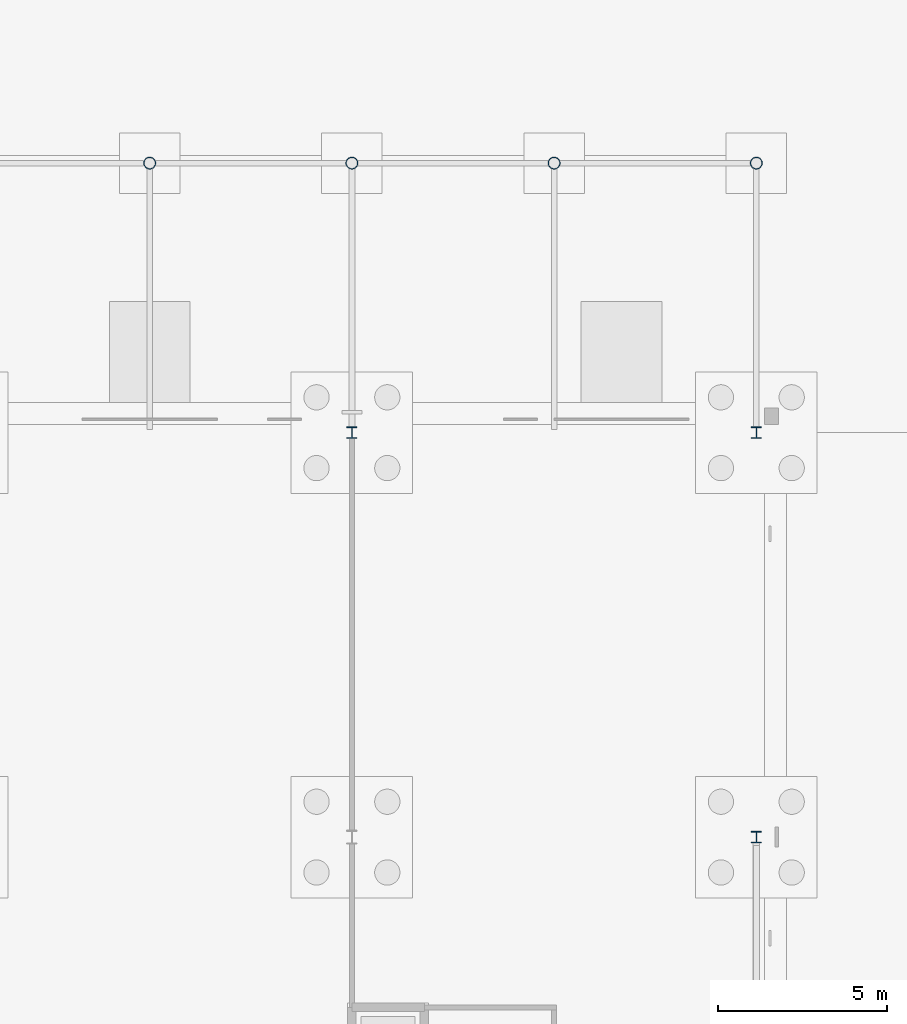
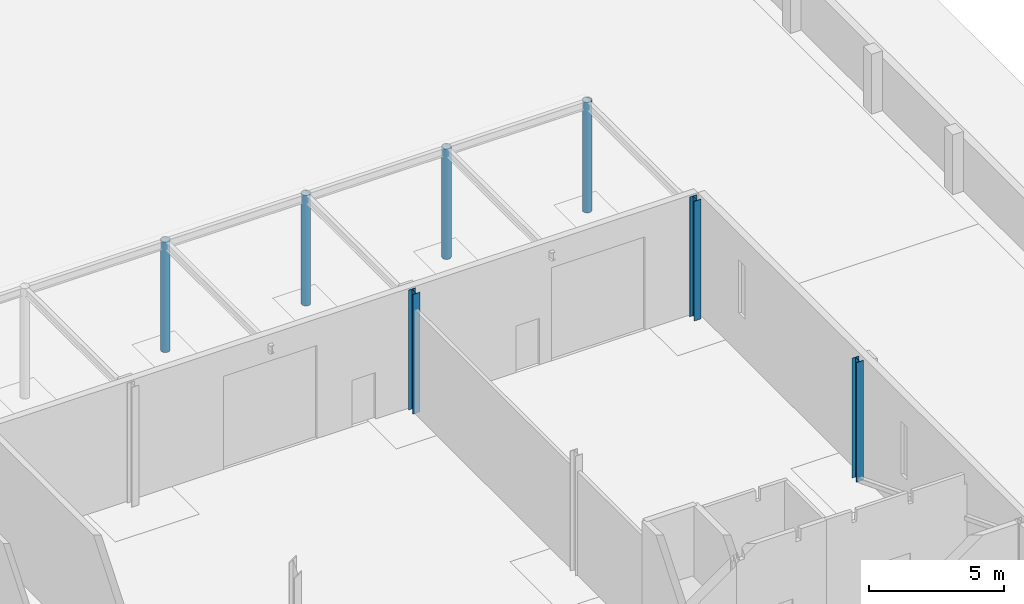
# One storey, part 50 of 132: 7 columns.
"""IFC4 building model written with IfcOpenShell, lengths in metres."""

import ifcopenshell
import ifcopenshell.guid

model = None  # the IFC model being written
_history = None  # IfcOwnerHistory: only IFC2X3 demands one
_inside = {}  # id of a spatial element -> (the spatial element, [elements in it])
_under = {}  # id of a project, library or spatial element -> (it, [spatial elements below it])
_declared = {}  # id of a project -> (the project, [libraries it declares])
_typed = {}  # id of a type object -> (the type object, [elements of that type])
_made_of = {}  # id of a material, layer set ... -> (it, [elements and type objects made of it])


def new_model(schema):
    """Start an empty IFC model of exactly this schema.

    Asked for "IFC4X3", IfcOpenShell would pick the latest addendum, in which some entities
    have other attributes; the version numbers below select the first issue.
    IFC2X3 requires an IfcOwnerHistory on every rooted entity: one is made here for all.
    """
    global model, _history
    if schema == "IFC4X3":
        model = ifcopenshell.file(schema_version=(4, 3, 0, 0))
    else:
        model = ifcopenshell.file(schema=schema)
    _inside.clear()
    _under.clear()
    _declared.clear()
    _typed.clear()
    _made_of.clear()
    _history = None
    if model.schema == "IFC2X3":
        org = make("IfcOrganization", Name="unknown")
        user = make(
            "IfcPersonAndOrganization",
            ThePerson=make("IfcPerson", FamilyName="unknown"),
            TheOrganization=org,
        )
        app = make(
            "IfcApplication",
            ApplicationDeveloper=org,
            Version="unknown",
            ApplicationFullName="unknown",
            ApplicationIdentifier="unknown",
        )
        _history = make(
            "IfcOwnerHistory",
            OwningUser=user,
            OwningApplication=app,
            ChangeAction="ADDED",
            CreationDate=0,
        )
    return model


def make(cls, **values):
    """One entity of the class cls with the attributes given. An attribute that is None is left unset."""
    return model.create_entity(
        cls, **{name: value for name, value in values.items() if value is not None}
    )


def rooted(cls, **values):
    """An entity with a GlobalId (a new one), such as an element, a storey or a relation."""
    return make(cls, GlobalId=ifcopenshell.guid.new(), OwnerHistory=_history, **values)


def si_unit(unit_type, name, prefix=None):
    """IfcSIUnit, for example si_unit("LENGTHUNIT", "METRE", prefix="MILLI")."""
    return make("IfcSIUnit", UnitType=unit_type, Prefix=prefix, Name=name)


def assignment(units):
    """IfcUnitAssignment: the units of a project."""
    return None if units is None else make("IfcUnitAssignment", Units=units)


def point(xyz):
    """IfcCartesianPoint."""
    return None if xyz is None else make("IfcCartesianPoint", Coordinates=xyz)


def direction(xyz):
    """IfcDirection."""
    return None if xyz is None else make("IfcDirection", DirectionRatios=xyz)


def frame(location, z_axis=None, x_axis=None):
    """IfcAxis2Placement3D, a coordinate frame: its origin and axes. An axis left out is left unset."""
    return make(
        "IfcAxis2Placement3D",
        Location=point(location),
        Axis=direction(z_axis),
        RefDirection=direction(x_axis),
    )


def frame_2d(location, x_axis=None):
    """IfcAxis2Placement2D, a coordinate frame in the plane: its origin and x axis."""
    return make(
        "IfcAxis2Placement2D", Location=point(location), RefDirection=direction(x_axis)
    )


def origin():
    """The frame at (0, 0, 0) with its axes left unset."""
    return frame((0.0, 0.0, 0.0))


def origin_2d():
    """The frame at (0, 0) in the plane with its x axis left unset."""
    return frame_2d((0.0, 0.0))


def place(relative_to, where):
    """IfcLocalPlacement: puts the frame where relative to a parent placement (None: the world)."""
    return make(
        "IfcLocalPlacement", PlacementRelTo=relative_to, RelativePlacement=where
    )


def context(
    kind, dimensions, precision=None, world=None, true_north=None, identifier=None
):
    """IfcGeometricRepresentationContext, for example the 3D "Model" context."""
    return make(
        "IfcGeometricRepresentationContext",
        ContextIdentifier=identifier,
        ContextType=kind,
        CoordinateSpaceDimension=dimensions,
        Precision=precision,
        WorldCoordinateSystem=world,
        TrueNorth=true_north,
    )


def subcontext(parent, identifier, kind, view, scale=None):
    """IfcGeometricRepresentationSubContext, for example "Body" below "Model"."""
    return make(
        "IfcGeometricRepresentationSubContext",
        ContextIdentifier=identifier,
        ContextType=kind,
        ParentContext=parent,
        TargetScale=scale,
        TargetView=view,
    )


def project(units=None, contexts=None):
    """IfcProject with its units and contexts."""
    return rooted(
        "IfcProject",
        Name="project",
        RepresentationContexts=contexts,
        UnitsInContext=assignment(units),
    )


def spatial(cls, under=None, at=None, **own):
    """A site, building, storey or space (cls), placed at a placement, below another one or the project."""
    s = rooted(cls, ObjectPlacement=at, **own)
    if under is not None:
        _under.setdefault(under.id(), (under, []))[1].append(s)
    return s


def profile(cls, at=None, kind="AREA", **sizes):
    """A parametric profile (cls). Its sizes go by their IFC names, for example OverallWidth=200.0."""
    return make(cls, ProfileType=kind, Position=at, **sizes)


def hollow_circle(**sizes):
    """IfcCircleHollowProfileDef."""
    return profile("IfcCircleHollowProfileDef", **sizes)


def i_section(**sizes):
    """IfcIShapeProfileDef."""
    return profile("IfcIShapeProfileDef", **sizes)


def extrude(swept, where, along, depth):
    """IfcExtrudedAreaSolid: the profile swept, set in the frame where, extruded along a direction by depth."""
    return make(
        "IfcExtrudedAreaSolid",
        SweptArea=swept,
        Position=where,
        ExtrudedDirection=direction(along),
        Depth=depth,
    )


def shape(context_of_items, identifier, shape_type, items):
    """IfcShapeRepresentation: the items that make up one representation, for example the "Body"."""
    return make(
        "IfcShapeRepresentation",
        ContextOfItems=context_of_items,
        RepresentationIdentifier=identifier,
        RepresentationType=shape_type,
        Items=items,
    )


def material(Name=None, Category=None):
    """IfcMaterial."""
    return make("IfcMaterial", Name=Name, Category=Category)


def material_profile(
    of_material, cross_section, Name=None, Category=None, Priority=None
):
    """IfcMaterialProfile: a cross section and its material."""
    return make(
        "IfcMaterialProfile",
        Name=Name,
        Material=of_material,
        Profile=cross_section,
        Priority=Priority,
        Category=Category,
    )


def profile_set(profiles, Name=None, composite=None):
    """IfcMaterialProfileSet."""
    return make(
        "IfcMaterialProfileSet",
        Name=Name,
        MaterialProfiles=profiles,
        CompositeProfile=composite,
    )


def made_of(thing, what):
    """Note that an element or type object is made of a material, layer set ...; save() writes the relation."""
    if what is not None:
        _made_of.setdefault(what.id(), (what, []))[1].append(thing)
    return thing


def type_object(cls, material=None, **own):
    """A type object (cls), such as IfcWallType, which elements share."""
    return made_of(rooted(cls, **own), material)


def element(
    cls,
    number,
    at=None,
    inside=None,
    cuts=None,
    type_object=None,
    material=None,
    context=None,
    identifier="Body",
    shape_type=None,
    held_by="IfcProductDefinitionShape",
    body=None,
    shapes=None,
    **own,
):
    """One element of the class cls, such as IfcWall. Its Tag is "e" and its number.

    at: its placement. inside: the storey or other place that contains it. cuts: it is an
    opening in that element (IfcRelVoidsElement). A single representation is given by context,
    identifier, shape_type and body (its items); several are given by shapes. held_by: the class
    of the entity that holds the representations. save() writes the other relations.
    """
    e = rooted(cls, Tag="e%d" % number, ObjectPlacement=at, **own)
    if body is not None:
        shapes = [shape(context, identifier, shape_type, body)]
    if shapes is not None:
        e.Representation = make(held_by, Representations=shapes)
    if inside is not None:
        _inside.setdefault(inside.id(), (inside, []))[1].append(e)
    if cuts is not None:
        rooted(
            "IfcRelVoidsElement", RelatingBuildingElement=cuts, RelatedOpeningElement=e
        )
    if type_object is not None:
        _typed.setdefault(type_object.id(), (type_object, []))[1].append(e)
    return made_of(e, material)


def aggregate(whole, parts):
    """IfcRelAggregates: a whole, such as a stair, and the parts it consists of."""
    return rooted("IfcRelAggregates", RelatingObject=whole, RelatedObjects=parts)


def save(model, path):
    """Write the relations noted so far, then the file.

    IfcRelAggregates (storeys below a building ...), IfcRelContainedInSpatialStructure (elements
    in a storey), IfcRelDefinesByType, IfcRelAssociatesMaterial and IfcRelDeclares: one each for
    every whole, place, type object, material and project.
    """
    for whole, parts in _under.values():
        aggregate(whole, parts)
    for where, things in _inside.values():
        rooted(
            "IfcRelContainedInSpatialStructure",
            RelatedElements=things,
            RelatingStructure=where,
        )
    for kind, things in _typed.values():
        rooted("IfcRelDefinesByType", RelatedObjects=things, RelatingType=kind)
    for what, things in _made_of.values():
        rooted("IfcRelAssociatesMaterial", RelatedObjects=things, RelatingMaterial=what)
    for by, libraries in _declared.values():
        rooted("IfcRelDeclares", RelatingContext=by, RelatedDefinitions=libraries)
    model.write(path)


model = new_model("IFC4")

# Units and contexts
model_context = context("Model", 3, precision=1e-05, world=origin(), true_north=direction((0.0, 1.0)))
body_context = subcontext(model_context, "Body", "Model", "MODEL_VIEW")
ifc_project = project(units=[si_unit("LENGTHUNIT", "METRE"), si_unit("AREAUNIT", "SQUARE_METRE"), si_unit("VOLUMEUNIT", "CUBIC_METRE"), si_unit("PLANEANGLEUNIT", "RADIAN"), si_unit("MASSUNIT", "GRAM", prefix="KILO")], contexts=[model_context])

# Site, building, storey
site_placement = place(None, origin())
site = spatial("IfcSite", under=ifc_project, at=site_placement, CompositionType="ELEMENT")
building_placement = place(site_placement, origin())
building = spatial("IfcBuilding", under=site, at=building_placement, Name="Ravi Spectrum Wholesale Market", CompositionType="ELEMENT")
storey_placement = place(building_placement, origin())
storey = spatial("IfcBuildingStorey", under=building, at=storey_placement, Name="L00", CompositionType="ELEMENT", Elevation=0.0)

# Columns
ifc_material_1 = material(Name="Steel S355", Category="steel")
ifc_material_profile_1 = material_profile(ifc_material_1, hollow_circle(Radius=0.177734375, WallThickness=0.012451171875, at=origin_2d()))
ifc_profile_set_1 = profile_set([ifc_material_profile_1], Name="Steel S355")
column_type_1 = type_object("IfcColumnType", Name="CHS 355.6x12.5 column", PredefinedType="COLUMN", material=ifc_profile_set_1)
for number, where, z_axis, x_axis, name in (
    (1, (264.0, 74.0, 0.0), (0.0, 0.0, 1.0), (1.0, 0.0, 0.0), "CS-COL-L00-052"),
    (2, (270.0, 74.0, 0.0), (0.0, 0.0, 1.0), (1.0, 0.0, 0.0), "CS-COL-L00-053"),
    (3, (276.0, 74.0, 0.0), (0.0, 0.0, 1.0), (1.0, 0.0, 0.0), "CS-COL-L00-054"),
    (4, (282.0, 74.0, 0.0), (0.0, 0.0, 1.0), (1.0, 0.0, 0.0), "CS-COL-L00-055"),
):
    element("IfcColumn", number, at=place(storey_placement, frame(where, z_axis=z_axis, x_axis=x_axis)), inside=storey, type_object=column_type_1, Name=name, PredefinedType="COLUMN", context=body_context, shape_type="SweptSolid", body=[
        extrude(hollow_circle(Radius=0.177734375, WallThickness=0.012451171875, at=origin_2d()), origin(), (0.0, 0.0, 1.0), 4.97998046875),
    ])
ifc_material_2 = material(Name="Steel S355", Category="steel")
ifc_material_profile_2 = material_profile(ifc_material_2, i_section(OverallWidth=0.300048828125, OverallDepth=0.340087890625, WebThickness=0.011962890625, FlangeThickness=0.021484375, at=origin_2d()))
ifc_profile_set_2 = profile_set([ifc_material_profile_2], Name="Steel S355")
column_type_2 = type_object("IfcColumnType", Name="HEB 340 column", PredefinedType="COLUMN", material=ifc_profile_set_2)
for number, where, z_axis, x_axis, name in (
    (5, (270.0, 66.0, 0.0), (0.0, 0.0, 1.0), (1.0, 0.0, 0.0), "CS-COL-L00-035"),
    (6, (282.0, 54.0, 0.0), (0.0, 0.0, 1.0), (1.0, 0.0, 0.0), "CS-COL-L00-039"),
    (7, (282.0, 66.0, 0.0), (0.0, 0.0, 1.0), (1.0, 0.0, 0.0), "CS-COL-L00-040"),
):
    element("IfcColumn", number, at=place(storey_placement, frame(where, z_axis=z_axis, x_axis=x_axis)), inside=storey, type_object=column_type_2, Name=name, PredefinedType="COLUMN", context=body_context, shape_type="SweptSolid", body=[
        extrude(i_section(OverallWidth=0.300048828125, OverallDepth=0.340087890625, WebThickness=0.011962890625, FlangeThickness=0.021484375, at=origin_2d()), origin(), (0.0, 0.0, 1.0), 5.39990234375),
    ])

save(model, "model.ifc")
